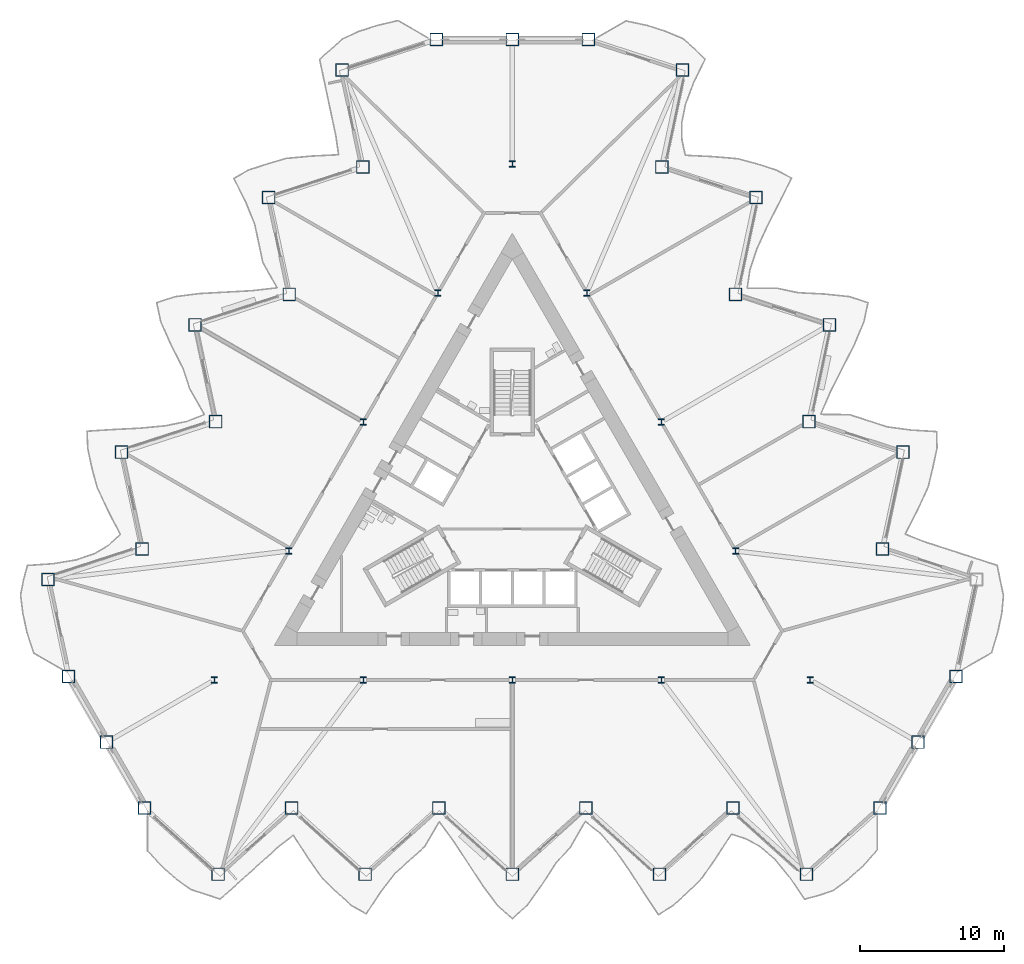
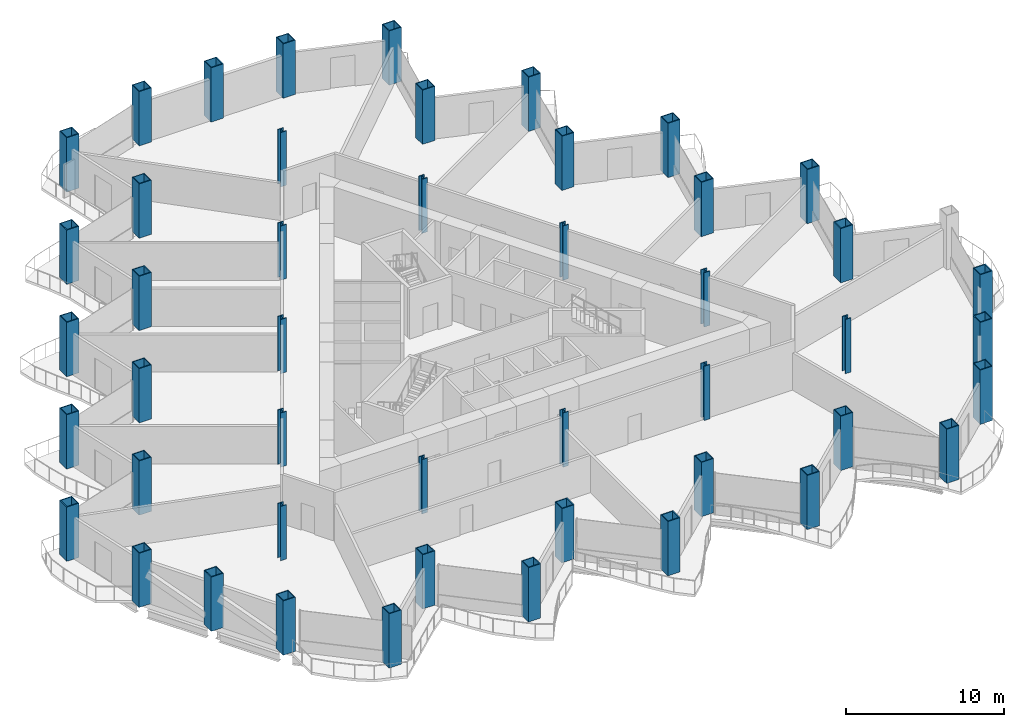
# One storey, part 1 of 21: 47 columns.
"""IFC4 building model written with IfcOpenShell, lengths in metres."""

from ifc_helpers import new_model, si_unit, direction, frame, origin, origin_2d, place, context, subcontext, project, spatial, hollow_rectangle, i_section, extrude, material, material_profile, profile_set, type_object, element, save


model = new_model("IFC4")

# Units and contexts
model_context = context("Model", 3, precision=1e-05, world=origin(), true_north=direction((0.0, 1.0)))
body_context = subcontext(model_context, "Body", "Model", "MODEL_VIEW")
ifc_project = project(units=[si_unit("LENGTHUNIT", "METRE"), si_unit("AREAUNIT", "SQUARE_METRE"), si_unit("VOLUMEUNIT", "CUBIC_METRE"), si_unit("PLANEANGLEUNIT", "RADIAN"), si_unit("MASSUNIT", "GRAM", prefix="KILO")], contexts=[model_context])

# Site, building, storey
site_placement = place(None, origin())
site = spatial("IfcSite", under=ifc_project, at=site_placement, CompositionType="ELEMENT")
building_placement = place(site_placement, origin())
building = spatial("IfcBuilding", under=site, at=building_placement, Name="Cormorant Prow Tower", CompositionType="ELEMENT")
storey_placement = place(building_placement, frame((0.0, 0.0, 141.60009765625)))
storey = spatial("IfcBuildingStorey", under=building, at=storey_placement, Name="L30", CompositionType="ELEMENT", Elevation=141.60009765625)

# Columns
ifc_material_1 = material(Name="Structural steel ASTM A572 Gr 50", Category="steel")
ifc_material_profile_1 = material_profile(ifc_material_1, hollow_rectangle(XDim=0.89990234375, YDim=0.89990234375, WallThickness=0.06005859375, at=origin_2d()), Name="Box 900x900x60")
ifc_profile_set_1 = profile_set([ifc_material_profile_1], Name="Structural steel ASTM A572 Gr 50")
column_type_1 = type_object("IfcColumnType", Name="Perimeter box column 900x900x60", PredefinedType="COLUMN", material=ifc_profile_set_1)
for number, where, z_axis, x_axis, name in (
    (1, (-25.499755859375, -20.80712890625, 0.0), (0.0, 0.0, 1.0), (1.0, 0.0, 0.0), "Perimeter column C3 at S00 L30"),
    (2, (-20.399658203125, -25.399169921875, 0.0), (0.0, 0.0, 1.0), (1.0, 0.0, 0.0), "Perimeter column C3 at S01 L30"),
    (3, (-15.2998046875, -20.80712890625, 0.0), (0.0, 0.0, 1.0), (1.0, 0.0, 0.0), "Perimeter column C3 at S02 L30"),
    (4, (-10.199951171875, -25.399169921875, 0.0), (0.0, 0.0, 1.0), (1.0, 0.0, 0.0), "Perimeter column C3 at S03 L30"),
    (5, (-5.099853515625, -20.80712890625, 0.0), (0.0, 0.0, 1.0), (1.0, 0.0, 0.0), "Perimeter column C3 at S04 L30"),
    (6, (0.0, -25.399169921875, 0.0), (0.0, 0.0, 1.0), (1.0, 0.0, 0.0), "Perimeter column C3 at S05 L30"),
    (7, (5.099853515625, -20.80712890625, 0.0), (0.0, 0.0, 1.0), (1.0, 0.0, 0.0), "Perimeter column C3 at S06 L30"),
    (8, (10.199951171875, -25.399169921875, 0.0), (0.0, 0.0, 1.0), (1.0, 0.0, 0.0), "Perimeter column C3 at S07 L30"),
    (9, (15.2998046875, -20.80712890625, 0.0), (0.0, 0.0, 1.0), (1.0, 0.0, 0.0), "Perimeter column C3 at S08 L30"),
    (10, (20.399658203125, -25.399169921875, 0.0), (0.0, 0.0, 1.0), (1.0, 0.0, 0.0), "Perimeter column C3 at S09 L30"),
    (11, (25.499755859375, -20.80712890625, 0.0), (0.0, 0.0, 1.0), (1.0, 0.0, 0.0), "Perimeter column C3 at ESE00 L30"),
    (12, (28.134521484375, -16.243408203125, 0.0), (0.0, 0.0, 1.0), (1.0, 0.0, 0.0), "Perimeter column C3 at ESE01 L30"),
    (13, (30.769287109375, -11.679931640625, 0.0), (0.0, 0.0, 1.0), (1.0, 0.0, 0.0), "Perimeter column C3 at ENE00 L30"),
    (14, (25.66943359375, -2.846435546875, 0.0), (0.0, 0.0, 1.0), (1.0, 0.0, 0.0), "Perimeter column C3 at ENE02 L30"),
    (15, (27.09619140625, 3.8662109375, 0.0), (0.0, 0.0, 1.0), (1.0, 0.0, 0.0), "Perimeter column C3 at ENE03 L30"),
    (16, (20.569580078125, 5.98681640625, 0.0), (0.0, 0.0, 1.0), (1.0, 0.0, 0.0), "Perimeter column C3 at ENE04 L30"),
    (17, (21.996337890625, 12.699462890625, 0.0), (0.0, 0.0, 1.0), (1.0, 0.0, 0.0), "Perimeter column C3 at ENE05 L30"),
    (18, (15.469482421875, 14.8203125, 0.0), (0.0, 0.0, 1.0), (1.0, 0.0, 0.0), "Perimeter column C3 at ENE06 L30"),
    (19, (16.896240234375, 21.532958984375, 0.0), (0.0, 0.0, 1.0), (1.0, 0.0, 0.0), "Perimeter column C3 at ENE07 L30"),
    (20, (10.36962890625, 23.653564453125, 0.0), (0.0, 0.0, 1.0), (1.0, 0.0, 0.0), "Perimeter column C3 at ENE08 L30"),
    (21, (11.79638671875, 30.3662109375, 0.0), (0.0, 0.0, 1.0), (1.0, 0.0, 0.0), "Perimeter column C3 at ENE09 L30"),
    (22, (5.269775390625, 32.487060546875, 0.0), (0.0, 0.0, 1.0), (1.0, 0.0, 0.0), "Perimeter column C3 at N00 L30"),
    (23, (0.0, 32.487060546875, 0.0), (0.0, 0.0, 1.0), (1.0, 0.0, 0.0), "Perimeter column C3 at N01 L30"),
    (24, (-5.269775390625, 32.487060546875, 0.0), (0.0, 0.0, 1.0), (1.0, 0.0, 0.0), "Perimeter column C3 at WNW00 L30"),
    (25, (-11.79638671875, 30.3662109375, 0.0), (0.0, 0.0, 1.0), (1.0, 0.0, 0.0), "Perimeter column C3 at WNW01 L30"),
    (26, (-10.36962890625, 23.653564453125, 0.0), (0.0, 0.0, 1.0), (1.0, 0.0, 0.0), "Perimeter column C3 at WNW02 L30"),
    (27, (-16.896240234375, 21.532958984375, 0.0), (0.0, 0.0, 1.0), (1.0, 0.0, 0.0), "Perimeter column C3 at WNW03 L30"),
    (28, (-15.469482421875, 14.8203125, 0.0), (0.0, 0.0, 1.0), (1.0, 0.0, 0.0), "Perimeter column C3 at WNW04 L30"),
    (29, (-21.996337890625, 12.699462890625, 0.0), (0.0, 0.0, 1.0), (1.0, 0.0, 0.0), "Perimeter column C3 at WNW05 L30"),
    (30, (-20.569580078125, 5.98681640625, 0.0), (0.0, 0.0, 1.0), (1.0, 0.0, 0.0), "Perimeter column C3 at WNW06 L30"),
    (31, (-27.09619140625, 3.8662109375, 0.0), (0.0, 0.0, 1.0), (1.0, 0.0, 0.0), "Perimeter column C3 at WNW07 L30"),
    (32, (-25.66943359375, -2.846435546875, 0.0), (0.0, 0.0, 1.0), (1.0, 0.0, 0.0), "Perimeter column C3 at WNW08 L30"),
    (33, (-32.1962890625, -4.967041015625, 0.0), (0.0, 0.0, 1.0), (1.0, 0.0, 0.0), "Perimeter column C3 at WNW09 L30"),
    (34, (-30.769287109375, -11.679931640625, 0.0), (0.0, 0.0, 1.0), (1.0, 0.0, 0.0), "Perimeter column C3 at WSW00 L30"),
    (35, (-28.134521484375, -16.243408203125, 0.0), (0.0, 0.0, 1.0), (1.0, 0.0, 0.0), "Perimeter column C3 at WSW01 L30"),
):
    element("IfcColumn", number, at=place(storey_placement, frame(where, z_axis=z_axis, x_axis=x_axis)), inside=storey, type_object=column_type_1, Name=name, PredefinedType="COLUMN", context=body_context, shape_type="SweptSolid", body=[
        extrude(hollow_rectangle(XDim=0.89990234375, YDim=0.89990234375, WallThickness=0.06005859375, at=origin_2d()), origin(), (0.0, 0.0, 1.0), 4.199951171875),
    ])
ifc_material_2 = material(Name="Structural steel ASTM A992 Gr 50", Category="steel")
ifc_material_profile_2 = material_profile(ifc_material_2, i_section(OverallWidth=0.412109375, OverallDepth=0.434814453125, WebThickness=0.035888671875, FlangeThickness=0.057373046875, at=origin_2d()), Name="W14x311")
ifc_profile_set_2 = profile_set([ifc_material_profile_2], Name="Structural steel ASTM A992 Gr 50")
column_type_2 = type_object("IfcColumnType", Name="Ring column W14x311", PredefinedType="COLUMN", material=ifc_profile_set_2)
for number, where, z_axis, x_axis, name in (
    (36, (0.0, 23.8525390625, 0.0), (0.0, 0.0, 1.0), (1.0, 0.0, 0.0), "Ring column 1 L30"),
    (37, (-5.164306640625, 14.907958984375, 0.0), (0.0, 0.0, 1.0), (1.0, 0.0, 0.0), "Ring column 2 L30"),
    (38, (-10.328369140625, 5.963134765625, 0.0), (0.0, 0.0, 1.0), (1.0, 0.0, 0.0), "Ring column 3 L30"),
    (39, (-15.49267578125, -2.981689453125, 0.0), (0.0, 0.0, 1.0), (1.0, 0.0, 0.0), "Ring column 4 L30"),
    (40, (-20.656982421875, -11.92626953125, 0.0), (0.0, 0.0, 1.0), (1.0, 0.0, 0.0), "Ring column 5 L30"),
    (41, (-10.328369140625, -11.92626953125, 0.0), (0.0, 0.0, 1.0), (1.0, 0.0, 0.0), "Ring column 6 L30"),
    (42, (0.0, -11.92626953125, 0.0), (0.0, 0.0, 1.0), (1.0, 0.0, 0.0), "Ring column 7 L30"),
    (43, (10.328369140625, -11.92626953125, 0.0), (0.0, 0.0, 1.0), (1.0, 0.0, 0.0), "Ring column 8 L30"),
    (44, (20.656982421875, -11.92626953125, 0.0), (0.0, 0.0, 1.0), (1.0, 0.0, 0.0), "Ring column 9 L30"),
    (45, (15.49267578125, -2.981689453125, 0.0), (0.0, 0.0, 1.0), (1.0, 0.0, 0.0), "Ring column 10 L30"),
    (46, (10.328369140625, 5.963134765625, 0.0), (0.0, 0.0, 1.0), (1.0, 0.0, 0.0), "Ring column 11 L30"),
    (47, (5.164306640625, 14.907958984375, 0.0), (0.0, 0.0, 1.0), (1.0, 0.0, 0.0), "Ring column 12 L30"),
):
    element("IfcColumn", number, at=place(storey_placement, frame(where, z_axis=z_axis, x_axis=x_axis)), inside=storey, type_object=column_type_2, Name=name, PredefinedType="COLUMN", context=body_context, shape_type="SweptSolid", body=[
        extrude(i_section(OverallWidth=0.412109375, OverallDepth=0.434814453125, WebThickness=0.035888671875, FlangeThickness=0.057373046875, at=origin_2d()), origin(), (0.0, 0.0, 1.0), 4.199951171875),
    ])

save(model, "model.ifc")
